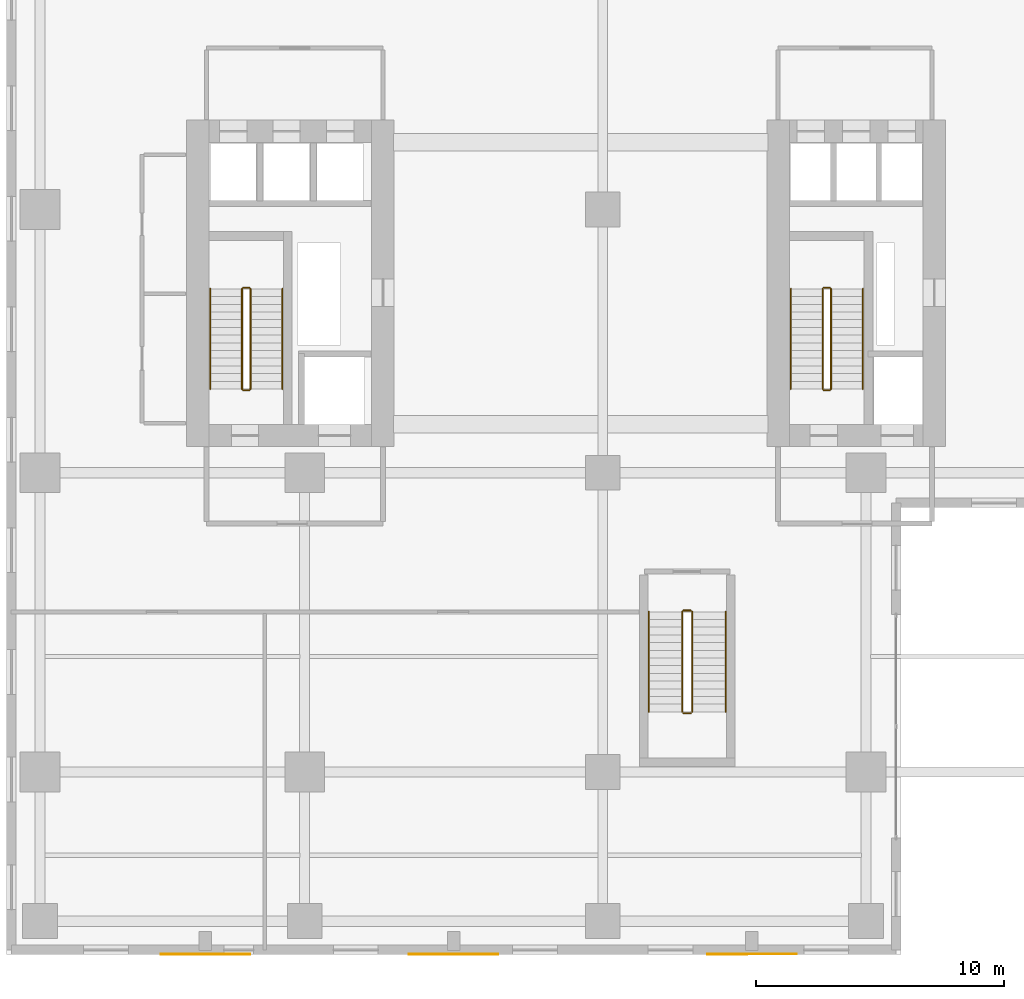
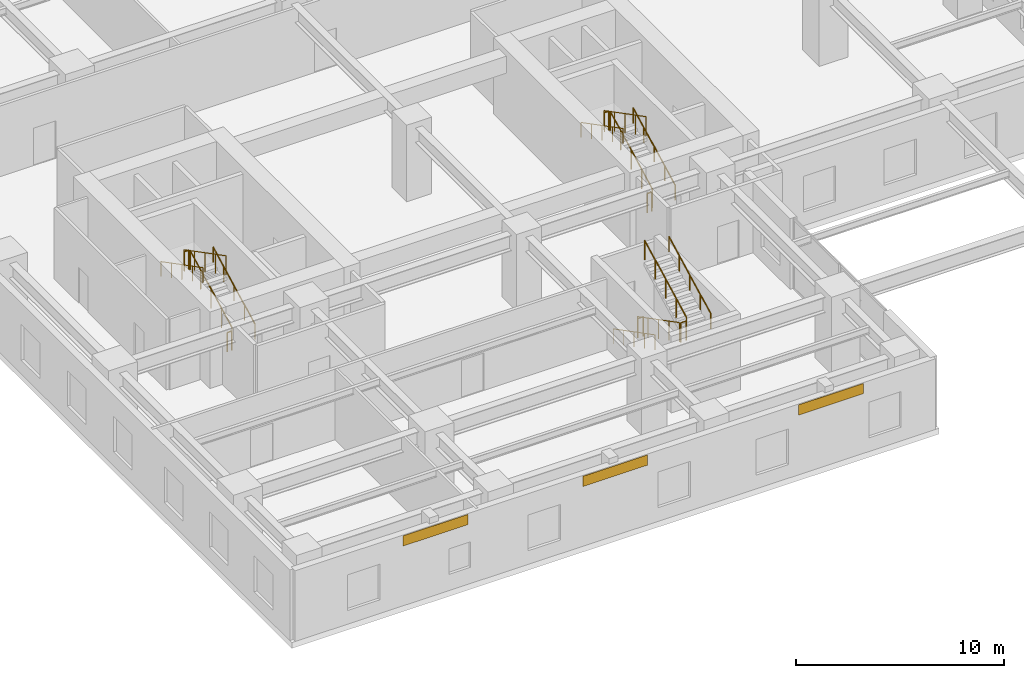
# One storey, part 24 of 26: 18 railings, 3 coverings.
"""IFC4 building model written with IfcOpenShell, lengths in metres."""

from ifc_helpers import new_model, si_unit, direction, frame, origin, origin_2d, place, context, subcontext, project, spatial, rectangle, circle, extrude, source, transform, mapped, material, layer, layer_set, type_object, element, save


model = new_model("IFC4")

# Units and contexts
model_context = context("Model", 3, precision=1e-05, world=origin(), true_north=direction((0.0, 1.0)))
body_context = subcontext(model_context, "Body", "Model", "MODEL_VIEW")
ifc_project = project(units=[si_unit("LENGTHUNIT", "METRE"), si_unit("AREAUNIT", "SQUARE_METRE"), si_unit("VOLUMEUNIT", "CUBIC_METRE"), si_unit("PLANEANGLEUNIT", "RADIAN"), si_unit("MASSUNIT", "GRAM", prefix="KILO")], contexts=[model_context])

# Site, building, storey
site_placement = place(None, origin())
site = spatial("IfcSite", under=ifc_project, at=site_placement, CompositionType="ELEMENT")
building_placement = place(site_placement, origin())
building = spatial("IfcBuilding", under=site, at=building_placement, Name="Khoralis Quay Care Tower", CompositionType="ELEMENT")
storey_placement = place(building_placement, frame((0.0, 0.0, 4.5)))
storey = spatial("IfcBuildingStorey", under=building, at=storey_placement, Name="L01", CompositionType="ELEMENT", Elevation=4.5)

# Railings
ifc_material_1 = material(Name="Brushed stainless steel", Category="steel")
railing_type_1 = type_object("IfcRailingType", Name="RL-GUARD-1150", PredefinedType="GUARDRAIL", material=ifc_material_1)
railing_1_placement = place(storey_placement, frame((9.820068359375, 16.77001953125, 0.16064453125)))
element("IfcRailing", 1, at=railing_1_placement, inside=storey, type_object=railing_type_1, Name="L01 ST-T1 stair guard 1", PredefinedType="GUARDRAIL", context=body_context, shape_type="SweptSolid", body=[
    extrude(circle(Radius=0.02392578125, at=origin_2d()), frame((0.0, 0.0, 1.1259765625), z_axis=(0.0, 0.887780577991, 0.46026692836), x_axis=(-1.0, 0.0, 0.0)), (0.0, 0.0, 1.0), 4.53955078125),
    extrude(circle(Radius=0.02099609375, at=origin_2d()), origin(), (0.0, 0.0, 1.0), 1.101806640625),
    extrude(circle(Radius=0.02099609375, at=origin_2d()), frame((0.0, 1.007568359375, 0.5224609375)), (0.0, 0.0, 1.0), 1.101806640625),
    extrude(circle(Radius=0.02099609375, at=origin_2d()), frame((0.0, 2.01513671875, 1.044677734375)), (0.0, 0.0, 1.0), 1.101806640625),
    extrude(circle(Radius=0.02099609375, at=origin_2d()), frame((0.0, 3.0224609375, 1.56689453125)), (0.0, 0.0, 1.0), 1.101806640625),
    extrude(circle(Radius=0.02099609375, at=origin_2d()), frame((0.0, 4.030029296875, 2.08935546875)), (0.0, 0.0, 1.0), 1.101806640625),
])
railing_2_placement = place(storey_placement, frame((9.77001953125, 20.85009765625, 2.25)))
element("IfcRailing", 2, at=railing_2_placement, inside=storey, type_object=railing_type_1, Name="L01 ST-T1 stair guard 2", PredefinedType="GUARDRAIL", context=body_context, shape_type="SweptSolid", body=[
    extrude(circle(Radius=0.02392578125, at=origin_2d()), frame((0.0, 0.0, 1.1259765625), z_axis=(-1.0, 0.0, 0.0), x_axis=(0.0, -1.0, 0.0)), (0.0, 0.0, 1.0), 0.239990234375),
    extrude(circle(Radius=0.02099609375, at=origin_2d()), origin(), (0.0, 0.0, 1.0), 1.101806640625),
    extrude(circle(Radius=0.02099609375, at=origin_2d()), frame((-0.239990234375, 0.0, 0.0)), (0.0, 0.0, 1.0), 1.101806640625),
])
railing_3_placement = place(storey_placement, frame((9.47998046875, 20.800048828125, 2.41064453125)))
element("IfcRailing", 3, at=railing_3_placement, inside=storey, type_object=railing_type_1, Name="L01 ST-T1 stair guard 3", PredefinedType="GUARDRAIL", context=body_context, shape_type="SweptSolid", body=[
    extrude(circle(Radius=0.02392578125, at=origin_2d()), frame((0.0, 0.0, 1.1259765625), z_axis=(0.0, -0.887780577991, 0.46026692836), x_axis=(1.0, 0.0, 0.0)), (0.0, 0.0, 1.0), 4.53955078125),
    extrude(circle(Radius=0.02099609375, at=origin_2d()), origin(), (0.0, 0.0, 1.0), 1.101806640625),
    extrude(circle(Radius=0.02099609375, at=origin_2d()), frame((0.0, -1.007568359375, 0.5224609375)), (0.0, 0.0, 1.0), 1.101806640625),
    extrude(circle(Radius=0.02099609375, at=origin_2d()), frame((0.0, -2.01513671875, 1.044677734375)), (0.0, 0.0, 1.0), 1.101806640625),
    extrude(circle(Radius=0.02099609375, at=origin_2d()), frame((0.0, -3.0224609375, 1.56689453125)), (0.0, 0.0, 1.0), 1.101806640625),
    extrude(circle(Radius=0.02099609375, at=origin_2d()), frame((0.0, -4.030029296875, 2.08935546875)), (0.0, 0.0, 1.0), 1.101806640625),
])
railing_4_placement = place(storey_placement, frame((9.77001953125, 16.719970703125, 0.0)))
element("IfcRailing", 4, at=railing_4_placement, inside=storey, type_object=railing_type_1, Name="L01 ST-T1 stair guard 4", PredefinedType="GUARDRAIL", context=body_context, shape_type="SweptSolid", body=[
    extrude(circle(Radius=0.02392578125, at=origin_2d()), frame((0.0, 0.0, 1.1259765625), z_axis=(-1.0, 0.0, 0.0), x_axis=(0.0, -1.0, 0.0)), (0.0, 0.0, 1.0), 0.239990234375),
    extrude(circle(Radius=0.02099609375, at=origin_2d()), origin(), (0.0, 0.0, 1.0), 1.101806640625),
    extrude(circle(Radius=0.02099609375, at=origin_2d()), frame((-0.239990234375, 0.0, 0.0)), (0.0, 0.0, 1.0), 1.101806640625),
])
railing_5_placement = place(storey_placement, frame((33.18994140625, 16.77001953125, 0.16064453125)))
element("IfcRailing", 5, at=railing_5_placement, inside=storey, type_object=railing_type_1, Name="L01 ST-T2 stair guard 1", PredefinedType="GUARDRAIL", context=body_context, shape_type="SweptSolid", body=[
    extrude(circle(Radius=0.02392578125, at=origin_2d()), frame((0.0, 0.0, 1.1259765625), z_axis=(0.0, 0.887780577991, 0.46026692836), x_axis=(-1.0, 0.0, 0.0)), (0.0, 0.0, 1.0), 4.53955078125),
    extrude(circle(Radius=0.02099609375, at=origin_2d()), origin(), (0.0, 0.0, 1.0), 1.101806640625),
    extrude(circle(Radius=0.02099609375, at=origin_2d()), frame((0.0, 1.007568359375, 0.5224609375)), (0.0, 0.0, 1.0), 1.101806640625),
    extrude(circle(Radius=0.02099609375, at=origin_2d()), frame((0.0, 2.01513671875, 1.044677734375)), (0.0, 0.0, 1.0), 1.101806640625),
    extrude(circle(Radius=0.02099609375, at=origin_2d()), frame((0.0, 3.0224609375, 1.56689453125)), (0.0, 0.0, 1.0), 1.101806640625),
    extrude(circle(Radius=0.02099609375, at=origin_2d()), frame((0.0, 4.030029296875, 2.08935546875)), (0.0, 0.0, 1.0), 1.101806640625),
])
railing_6_placement = place(storey_placement, frame((33.139892578125, 20.85009765625, 2.25)))
element("IfcRailing", 6, at=railing_6_placement, inside=storey, type_object=railing_type_1, Name="L01 ST-T2 stair guard 2", PredefinedType="GUARDRAIL", context=body_context, shape_type="SweptSolid", body=[
    extrude(circle(Radius=0.02392578125, at=origin_2d()), frame((0.0, 0.0, 1.1259765625), z_axis=(-1.0, 0.0, 0.0), x_axis=(0.0, -1.0, 0.0)), (0.0, 0.0, 1.0), 0.239990234375),
    extrude(circle(Radius=0.02099609375, at=origin_2d()), origin(), (0.0, 0.0, 1.0), 1.101806640625),
    extrude(circle(Radius=0.02099609375, at=origin_2d()), frame((-0.239990234375, 0.0, 0.0)), (0.0, 0.0, 1.0), 1.101806640625),
])
railing_7_placement = place(storey_placement, frame((32.85009765625, 20.800048828125, 2.41064453125)))
element("IfcRailing", 7, at=railing_7_placement, inside=storey, type_object=railing_type_1, Name="L01 ST-T2 stair guard 3", PredefinedType="GUARDRAIL", context=body_context, shape_type="SweptSolid", body=[
    extrude(circle(Radius=0.02392578125, at=origin_2d()), frame((0.0, 0.0, 1.1259765625), z_axis=(0.0, -0.887780577991, 0.46026692836), x_axis=(1.0, 0.0, 0.0)), (0.0, 0.0, 1.0), 4.53955078125),
    extrude(circle(Radius=0.02099609375, at=origin_2d()), origin(), (0.0, 0.0, 1.0), 1.101806640625),
    extrude(circle(Radius=0.02099609375, at=origin_2d()), frame((0.0, -1.007568359375, 0.5224609375)), (0.0, 0.0, 1.0), 1.101806640625),
    extrude(circle(Radius=0.02099609375, at=origin_2d()), frame((0.0, -2.01513671875, 1.044677734375)), (0.0, 0.0, 1.0), 1.101806640625),
    extrude(circle(Radius=0.02099609375, at=origin_2d()), frame((0.0, -3.0224609375, 1.56689453125)), (0.0, 0.0, 1.0), 1.101806640625),
    extrude(circle(Radius=0.02099609375, at=origin_2d()), frame((0.0, -4.030029296875, 2.08935546875)), (0.0, 0.0, 1.0), 1.101806640625),
])
railing_8_placement = place(storey_placement, frame((33.139892578125, 16.719970703125, 0.0)))
element("IfcRailing", 8, at=railing_8_placement, inside=storey, type_object=railing_type_1, Name="L01 ST-T2 stair guard 4", PredefinedType="GUARDRAIL", context=body_context, shape_type="SweptSolid", body=[
    extrude(circle(Radius=0.02392578125, at=origin_2d()), frame((0.0, 0.0, 1.1259765625), z_axis=(-1.0, 0.0, 0.0), x_axis=(0.0, -1.0, 0.0)), (0.0, 0.0, 1.0), 0.239990234375),
    extrude(circle(Radius=0.02099609375, at=origin_2d()), origin(), (0.0, 0.0, 1.0), 1.101806640625),
    extrude(circle(Radius=0.02099609375, at=origin_2d()), frame((-0.239990234375, 0.0, 0.0)), (0.0, 0.0, 1.0), 1.101806640625),
])
railing_9_placement = place(storey_placement, frame((27.199951171875, 7.800048828125, 0.16064453125)))
element("IfcRailing", 9, at=railing_9_placement, inside=storey, type_object=railing_type_1, Name="L01 ST-P1 stair guard 1", PredefinedType="GUARDRAIL", context=body_context, shape_type="SweptSolid", body=[
    extrude(circle(Radius=0.02392578125, at=origin_2d()), frame((0.0, 0.0, 1.1259765625), z_axis=(0.0, -0.887780577991, 0.46026692836), x_axis=(1.0, 0.0, 0.0)), (0.0, 0.0, 1.0), 4.53955078125),
    extrude(circle(Radius=0.02099609375, at=origin_2d()), origin(), (0.0, 0.0, 1.0), 1.101806640625),
    extrude(circle(Radius=0.02099609375, at=origin_2d()), frame((0.0, -1.007568359375, 0.5224609375)), (0.0, 0.0, 1.0), 1.101806640625),
    extrude(circle(Radius=0.02099609375, at=origin_2d()), frame((0.0, -2.01513671875, 1.044677734375)), (0.0, 0.0, 1.0), 1.101806640625),
    extrude(circle(Radius=0.02099609375, at=origin_2d()), frame((0.0, -3.0224609375, 1.56689453125)), (0.0, 0.0, 1.0), 1.101806640625),
    extrude(circle(Radius=0.02099609375, at=origin_2d()), frame((0.0, -4.030029296875, 2.08935546875)), (0.0, 0.0, 1.0), 1.101806640625),
])
railing_10_placement = place(storey_placement, frame((27.25, 3.719970703125, 2.25)))
element("IfcRailing", 10, at=railing_10_placement, inside=storey, type_object=railing_type_1, Name="L01 ST-P1 stair guard 2", PredefinedType="GUARDRAIL", context=body_context, shape_type="SweptSolid", body=[
    extrude(circle(Radius=0.02392578125, at=origin_2d()), frame((0.0, 0.0, 1.1259765625), z_axis=(1.0, 0.0, 0.0), x_axis=(0.0, 1.0, 0.0)), (0.0, 0.0, 1.0), 0.300048828125),
    extrude(circle(Radius=0.02099609375, at=origin_2d()), origin(), (0.0, 0.0, 1.0), 1.101806640625),
    extrude(circle(Radius=0.02099609375, at=origin_2d()), frame((0.300048828125, 0.0, 0.0)), (0.0, 0.0, 1.0), 1.101806640625),
])
railing_11_placement = place(storey_placement, frame((27.60009765625, 3.77001953125, 2.41064453125)))
element("IfcRailing", 11, at=railing_11_placement, inside=storey, type_object=railing_type_1, Name="L01 ST-P1 stair guard 3", PredefinedType="GUARDRAIL", context=body_context, shape_type="SweptSolid", body=[
    extrude(circle(Radius=0.02392578125, at=origin_2d()), frame((0.0, 0.0, 1.1259765625), z_axis=(0.0, 0.887780577991, 0.46026692836), x_axis=(-1.0, 0.0, 0.0)), (0.0, 0.0, 1.0), 4.53955078125),
    extrude(circle(Radius=0.02099609375, at=origin_2d()), origin(), (0.0, 0.0, 1.0), 1.101806640625),
    extrude(circle(Radius=0.02099609375, at=origin_2d()), frame((0.0, 1.007568359375, 0.5224609375)), (0.0, 0.0, 1.0), 1.101806640625),
    extrude(circle(Radius=0.02099609375, at=origin_2d()), frame((0.0, 2.01513671875, 1.044677734375)), (0.0, 0.0, 1.0), 1.101806640625),
    extrude(circle(Radius=0.02099609375, at=origin_2d()), frame((0.0, 3.0224609375, 1.56689453125)), (0.0, 0.0, 1.0), 1.101806640625),
    extrude(circle(Radius=0.02099609375, at=origin_2d()), frame((0.0, 4.030029296875, 2.08935546875)), (0.0, 0.0, 1.0), 1.101806640625),
])
railing_12_placement = place(storey_placement, frame((27.25, 7.85009765625, 0.0)))
element("IfcRailing", 12, at=railing_12_placement, inside=storey, type_object=railing_type_1, Name="L01 ST-P1 stair guard 4", PredefinedType="GUARDRAIL", context=body_context, shape_type="SweptSolid", body=[
    extrude(circle(Radius=0.02392578125, at=origin_2d()), frame((0.0, 0.0, 1.1259765625), z_axis=(1.0, 0.0, 0.0), x_axis=(0.0, 1.0, 0.0)), (0.0, 0.0, 1.0), 0.300048828125),
    extrude(circle(Radius=0.02099609375, at=origin_2d()), origin(), (0.0, 0.0, 1.0), 1.101806640625),
    extrude(circle(Radius=0.02099609375, at=origin_2d()), frame((0.300048828125, 0.0, 0.0)), (0.0, 0.0, 1.0), 1.101806640625),
])
railing_type_2 = type_object("IfcRailingType", Name="RL-HAND-900", PredefinedType="HANDRAIL", material=ifc_material_1)
railing_13_placement = place(storey_placement, frame((11.10009765625, 16.77001953125, 0.16064453125)))
element("IfcRailing", 13, at=railing_13_placement, inside=storey, type_object=railing_type_2, Name="L01 ST-T1 stair handrail 1", PredefinedType="HANDRAIL", context=body_context, shape_type="SweptSolid", body=[
    extrude(circle(Radius=0.02392578125, at=origin_2d()), frame((0.0, 0.0, 0.8759765625), z_axis=(0.0, 0.887780577991, 0.46026692836), x_axis=(-1.0, 0.0, 0.0)), (0.0, 0.0, 1.0), 4.53955078125),
    extrude(circle(Radius=0.02099609375, at=origin_2d()), origin(), (0.0, 0.0, 1.0), 0.851806640625),
    extrude(circle(Radius=0.02099609375, at=origin_2d()), frame((0.0, 1.007568359375, 0.5224609375)), (0.0, 0.0, 1.0), 0.851806640625),
    extrude(circle(Radius=0.02099609375, at=origin_2d()), frame((0.0, 2.01513671875, 1.044677734375)), (0.0, 0.0, 1.0), 0.851806640625),
    extrude(circle(Radius=0.02099609375, at=origin_2d()), frame((0.0, 3.0224609375, 1.56689453125)), (0.0, 0.0, 1.0), 0.851806640625),
    extrude(circle(Radius=0.02099609375, at=origin_2d()), frame((0.0, 4.030029296875, 2.08935546875)), (0.0, 0.0, 1.0), 0.851806640625),
])
railing_14_placement = place(storey_placement, frame((8.199951171875, 20.800048828125, 2.41064453125)))
element("IfcRailing", 14, at=railing_14_placement, inside=storey, type_object=railing_type_2, Name="L01 ST-T1 stair handrail 2", PredefinedType="HANDRAIL", context=body_context, shape_type="SweptSolid", body=[
    extrude(circle(Radius=0.02392578125, at=origin_2d()), frame((0.0, 0.0, 0.8759765625), z_axis=(0.0, -0.887780577991, 0.46026692836), x_axis=(1.0, 0.0, 0.0)), (0.0, 0.0, 1.0), 4.53955078125),
    extrude(circle(Radius=0.02099609375, at=origin_2d()), origin(), (0.0, 0.0, 1.0), 0.851806640625),
    extrude(circle(Radius=0.02099609375, at=origin_2d()), frame((0.0, -1.007568359375, 0.5224609375)), (0.0, 0.0, 1.0), 0.851806640625),
    extrude(circle(Radius=0.02099609375, at=origin_2d()), frame((0.0, -2.01513671875, 1.044677734375)), (0.0, 0.0, 1.0), 0.851806640625),
    extrude(circle(Radius=0.02099609375, at=origin_2d()), frame((0.0, -3.0224609375, 1.56689453125)), (0.0, 0.0, 1.0), 0.851806640625),
    extrude(circle(Radius=0.02099609375, at=origin_2d()), frame((0.0, -4.030029296875, 2.08935546875)), (0.0, 0.0, 1.0), 0.851806640625),
])
railing_15_placement = place(storey_placement, frame((34.469970703125, 16.77001953125, 0.16064453125)))
element("IfcRailing", 15, at=railing_15_placement, inside=storey, type_object=railing_type_2, Name="L01 ST-T2 stair handrail 1", PredefinedType="HANDRAIL", context=body_context, shape_type="SweptSolid", body=[
    extrude(circle(Radius=0.02392578125, at=origin_2d()), frame((0.0, 0.0, 0.8759765625), z_axis=(0.0, 0.887780577991, 0.46026692836), x_axis=(-1.0, 0.0, 0.0)), (0.0, 0.0, 1.0), 4.53955078125),
    extrude(circle(Radius=0.02099609375, at=origin_2d()), origin(), (0.0, 0.0, 1.0), 0.851806640625),
    extrude(circle(Radius=0.02099609375, at=origin_2d()), frame((0.0, 1.007568359375, 0.5224609375)), (0.0, 0.0, 1.0), 0.851806640625),
    extrude(circle(Radius=0.02099609375, at=origin_2d()), frame((0.0, 2.01513671875, 1.044677734375)), (0.0, 0.0, 1.0), 0.851806640625),
    extrude(circle(Radius=0.02099609375, at=origin_2d()), frame((0.0, 3.0224609375, 1.56689453125)), (0.0, 0.0, 1.0), 0.851806640625),
    extrude(circle(Radius=0.02099609375, at=origin_2d()), frame((0.0, 4.030029296875, 2.08935546875)), (0.0, 0.0, 1.0), 0.851806640625),
])
for number, where, name in (
    (16, (31.570068359375, 20.800048828125, 2.41064453125), "L01 ST-T2 stair handrail 2"),
    (17, (25.85009765625, 7.800048828125, 0.16064453125), "L01 ST-P1 stair handrail 1"),
):
    element("IfcRailing", number, at=place(storey_placement, frame(where)), inside=storey, type_object=railing_type_2, Name=name, PredefinedType="HANDRAIL", context=body_context, shape_type="SweptSolid", body=[
        extrude(circle(Radius=0.02392578125, at=origin_2d()), frame((0.0, 0.0, 0.8759765625), z_axis=(0.0, -0.887780577991, 0.46026692836), x_axis=(1.0, 0.0, 0.0)), (0.0, 0.0, 1.0), 4.53955078125),
        extrude(circle(Radius=0.02099609375, at=origin_2d()), origin(), (0.0, 0.0, 1.0), 0.851806640625),
        extrude(circle(Radius=0.02099609375, at=origin_2d()), frame((0.0, -1.007568359375, 0.5224609375)), (0.0, 0.0, 1.0), 0.851806640625),
        extrude(circle(Radius=0.02099609375, at=origin_2d()), frame((0.0, -2.01513671875, 1.044677734375)), (0.0, 0.0, 1.0), 0.851806640625),
        extrude(circle(Radius=0.02099609375, at=origin_2d()), frame((0.0, -3.0224609375, 1.56689453125)), (0.0, 0.0, 1.0), 0.851806640625),
        extrude(circle(Radius=0.02099609375, at=origin_2d()), frame((0.0, -4.030029296875, 2.08935546875)), (0.0, 0.0, 1.0), 0.851806640625),
    ])
railing_16_placement = place(storey_placement, frame((28.949951171875, 3.77001953125, 2.41064453125)))
element("IfcRailing", 18, at=railing_16_placement, inside=storey, type_object=railing_type_2, Name="L01 ST-P1 stair handrail 2", PredefinedType="HANDRAIL", context=body_context, shape_type="SweptSolid", body=[
    extrude(circle(Radius=0.02392578125, at=origin_2d()), frame((0.0, 0.0, 0.8759765625), z_axis=(0.0, 0.887780577991, 0.46026692836), x_axis=(-1.0, 0.0, 0.0)), (0.0, 0.0, 1.0), 4.53955078125),
    extrude(circle(Radius=0.02099609375, at=origin_2d()), origin(), (0.0, 0.0, 1.0), 0.851806640625),
    extrude(circle(Radius=0.02099609375, at=origin_2d()), frame((0.0, 1.007568359375, 0.5224609375)), (0.0, 0.0, 1.0), 0.851806640625),
    extrude(circle(Radius=0.02099609375, at=origin_2d()), frame((0.0, 2.01513671875, 1.044677734375)), (0.0, 0.0, 1.0), 0.851806640625),
    extrude(circle(Radius=0.02099609375, at=origin_2d()), frame((0.0, 3.0224609375, 1.56689453125)), (0.0, 0.0, 1.0), 0.851806640625),
    extrude(circle(Radius=0.02099609375, at=origin_2d()), frame((0.0, 4.030029296875, 2.08935546875)), (0.0, 0.0, 1.0), 0.851806640625),
])

# Coverings
ifc_material_2 = material(Name="Brushed pale anodised aluminium", Category="aluminium")
ifc_layer = layer(ifc_material_2, 0.0400390625)
ifc_layer_set = layer_set([ifc_layer], Name="Brushed pale anodised aluminium")
covering_type = type_object("IfcCoveringType", Name="COV-CLAD-40", PredefinedType="CLADDING", material=ifc_layer_set)
shared_shape = source(origin(), body_context, "Body", "SweptSolid", [
    extrude(rectangle(XDim=3.60009765625, YDim=0.0400390625, at=origin_2d()), origin(), (0.0, 0.0, 1.0), 0.60009765625),
])
for number, where, z_axis, x_axis, name in (
    (19, (8.0, -5.97998046875, 3.510009765625), (0.0, 0.0, 1.0), (1.0, 0.0, 0.0), "L01 Pale-Metal Spandrel Cladding Panel 1"),
    (20, (18.0, -5.97998046875, 3.510009765625), (0.0, 0.0, 1.0), (1.0, 0.0, 0.0), "L01 Pale-Metal Spandrel Cladding Panel 2"),
    (21, (30.0, -5.97998046875, 3.510009765625), (0.0, 0.0, 1.0), (1.0, 0.0, 0.0), "L01 Pale-Metal Spandrel Cladding Panel 3"),
):
    element("IfcCovering", number, at=place(storey_placement, frame(where, z_axis=z_axis, x_axis=x_axis)), inside=storey, type_object=covering_type, Name=name, PredefinedType="CLADDING", context=body_context, shape_type="MappedRepresentation", body=[
        mapped(shared_shape, transform((0.0, 0.0, 0.0), scale=1.0)),
    ])

save(model, "model.ifc")
